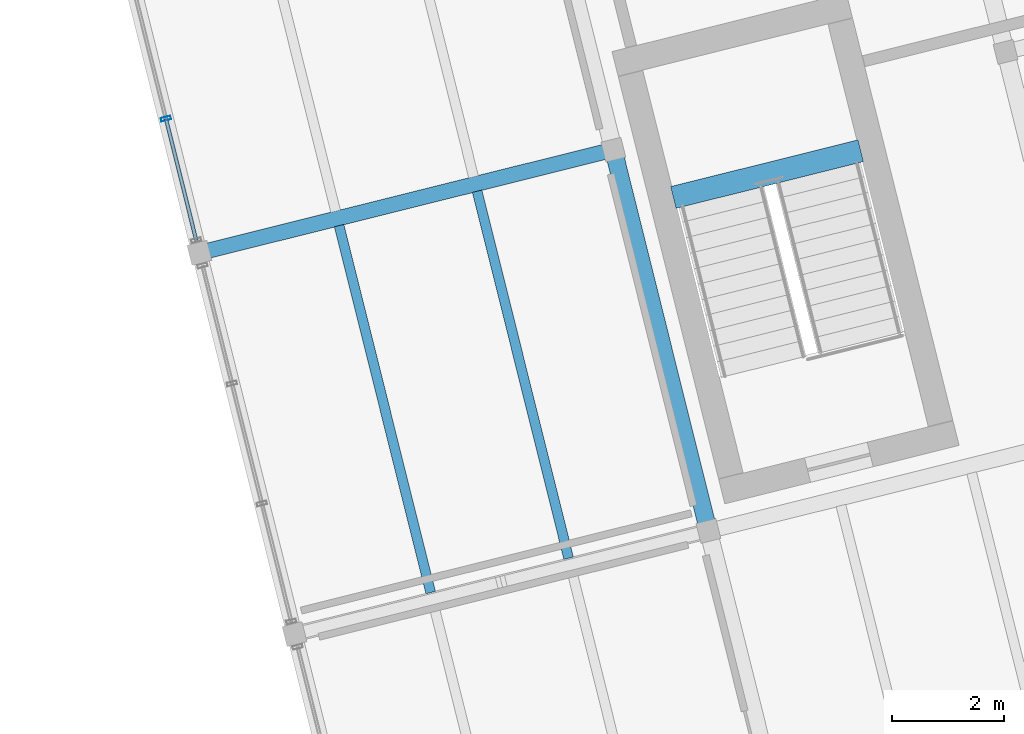
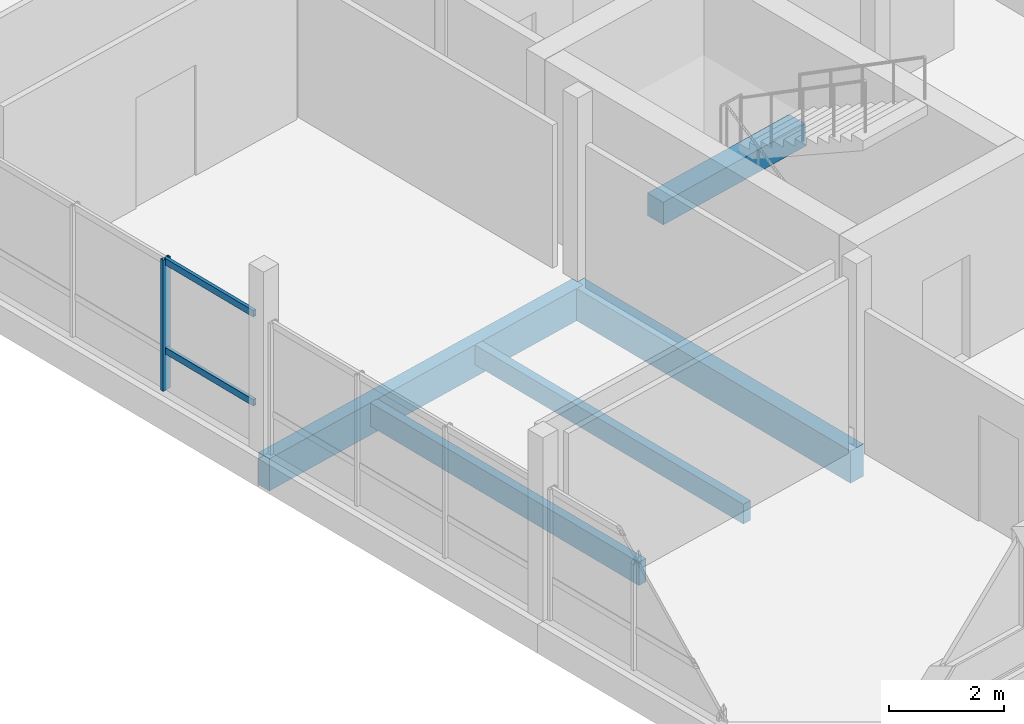
# One storey, part 3 of 28: 5 beams, 3 members, 1 element without a shape of its own.
"""IFC4 building model written with IfcOpenShell, lengths in metres."""

from ifc_helpers import new_model, si_unit, direction, frame, origin, origin_2d, place, context, subcontext, project, spatial, rectangle, hollow_rectangle, extrude, material, layer, layer_set, material_profile, profile_set, type_object, element, aggregate, save


model = new_model("IFC4")

# Units and contexts
model_context = context("Model", 3, precision=1e-05, world=origin(), true_north=direction((0.0, 1.0)))
body_context = subcontext(model_context, "Body", "Model", "MODEL_VIEW")
ifc_project = project(units=[si_unit("LENGTHUNIT", "METRE"), si_unit("AREAUNIT", "SQUARE_METRE"), si_unit("VOLUMEUNIT", "CUBIC_METRE"), si_unit("PLANEANGLEUNIT", "RADIAN"), si_unit("MASSUNIT", "GRAM", prefix="KILO")], contexts=[model_context])

# Site, building, storey
site_placement = place(None, origin())
site = spatial("IfcSite", under=ifc_project, at=site_placement, CompositionType="ELEMENT")
building_placement = place(site_placement, origin())
building = spatial("IfcBuilding", under=site, at=building_placement, Name="Meriwether Solvik Hall", CompositionType="ELEMENT")
storey_placement = place(building_placement, frame((0.0, 0.0, 37.800048828125)))
storey = spatial("IfcBuildingStorey", under=building, at=storey_placement, Name="L09", CompositionType="ELEMENT", Elevation=37.800048828125)

# Beams
ifc_material_1 = material(Name="Glulam Douglas-Fir 24F-V8 GL28h", Category="wood")
ifc_material_profile_1 = material_profile(ifc_material_1, rectangle(XDim=0.27294921875, YDim=0.68505859375, at=origin_2d()), Name="GLB-273X685")
ifc_profile_set_1 = profile_set([ifc_material_profile_1], Name="Glulam Douglas-Fir 24F-V8 GL28h")
beam_type_1 = type_object("IfcBeamType", Name="BM-GL-273X685", PredefinedType="BEAM", material=ifc_profile_set_1)
beam_1_placement = place(storey_placement, frame((65.261474609375, 54.590087890625, -0.5224609375), z_axis=(0.970295366785, 0.241923337436, 0.0), x_axis=(-0.241923337436, 0.970295366785, 0.0)))
element("IfcBeam", 1, at=beam_1_placement, inside=storey, type_object=beam_type_1, Name="Tower Girder TC:T1-T2 (L09)", PredefinedType="BEAM", context=body_context, shape_type="SweptSolid", body=[
    extrude(rectangle(XDim=0.27294921875, YDim=0.68505859375, at=origin_2d()), origin(), (0.0, 0.0, 1.0), 7.60009765625),
])
ifc_material_2 = material(Name="Glulam Douglas-Fir 24F-V8 GL28h", Category="wood")
ifc_material_profile_2 = material_profile(ifc_material_2, rectangle(XDim=0.31494140625, YDim=0.68505859375, at=origin_2d()), Name="GLB-315X685")
ifc_profile_set_2 = profile_set([ifc_material_profile_2], Name="Glulam Douglas-Fir 24F-V8 GL28h")
beam_type_2 = type_object("IfcBeamType", Name="BM-GL-315X685", PredefinedType="BEAM", material=ifc_profile_set_2)
beam_2_placement = place(storey_placement, frame((74.3291015625, 49.63671875, -0.5224609375), z_axis=(-0.241911879182, 0.970298223594, 0.0), x_axis=(-0.970298223594, -0.241911879182, 0.0)))
element("IfcBeam", 2, at=beam_2_placement, inside=storey, type_object=beam_type_2, Name="Tower Girder T2:TB-TC (L09)", PredefinedType="BEAM", context=body_context, shape_type="SweptSolid", body=[
    extrude(rectangle(XDim=0.31494140625, YDim=0.68505859375, at=origin_2d()), origin(), (0.0, 0.0, 1.0), 7.0),
])
ifc_material_3 = material(Name="Concrete C40/50", Category="concrete")
ifc_material_profile_3 = material_profile(ifc_material_3, rectangle(XDim=0.39990234375, YDim=0.47998046875, at=origin_2d()), Name="RCB-400X480")
ifc_profile_set_3 = profile_set([ifc_material_profile_3], Name="Concrete C40/50")
beam_type_3 = type_object("IfcBeamType", Name="BM-LND-RC-400X480", PredefinedType="BEAM", material=ifc_profile_set_3)
beam_3_placement = place(storey_placement, frame((73.70361328125, 55.57666015625, 1.510009765625), z_axis=(0.970288447449, 0.24195108751, 0.0), x_axis=(-0.24195108751, 0.970288447449, 0.0)))
element("IfcBeam", 3, at=beam_3_placement, inside=storey, type_object=beam_type_3, Name="Stair ST-01 Half-Landing Header Beam (L09)", PredefinedType="BEAM", context=body_context, shape_type="SweptSolid", body=[
    extrude(rectangle(XDim=0.39990234375, YDim=0.47998046875, at=origin_2d()), origin(), (0.0, 0.0, 1.0), 3.43994140625),
])

# Curtain wall, members
ifc_material_4 = material(Name="Thermally Broken Anodised Aluminium 6063-T6 and Low-E Glass", Category="aluminium")
ifc_layer = layer(ifc_material_4, 0.179931640625)
ifc_layer_set = layer_set([ifc_layer], Name="Thermally Broken Anodised Aluminium 6063-T6 and Low-E Glass")
curtain_wall_type = type_object("IfcCurtainWallType", Name="CW-UNIT-B", PredefinedType="USERDEFINED", material=ifc_layer_set)
curtain_wall_placement = place(storey_placement, origin())
curtain_wall = element("IfcCurtainWall", 4, at=curtain_wall_placement, inside=storey, type_object=curtain_wall_type, Name="Curtain Wall E7_B2 (L09)", ObjectType="UNITISED CURTAIN WALL", PredefinedType="USERDEFINED")
ifc_material_5 = material(Name="Anodised Aluminium 6063-T6", Category="aluminium")
ifc_material_profile_4 = material_profile(ifc_material_5, hollow_rectangle(XDim=0.06494140625, YDim=0.179931640625, WallThickness=0.00439453125, at=origin_2d()), Name="CWM-65X180")
ifc_profile_set_4 = profile_set([ifc_material_profile_4], Name="Anodised Aluminium 6063-T6")
member_type_1 = type_object("IfcMemberType", Name="CW-MUL-65X180", PredefinedType="MULLION", material=ifc_profile_set_4)
member_1_placement = place(storey_placement, frame((64.665283203125, 56.981689453125, 0.0), z_axis=(0.0, 0.0, 1.0), x_axis=(-0.241921897937, 0.970295725693, 0.0)))
member_1 = element("IfcMember", 5, at=member_1_placement, type_object=member_type_1, Name="Curtain Wall Mullion 2", PredefinedType="MULLION", context=body_context, shape_type="SweptSolid", body=[
    extrude(hollow_rectangle(XDim=0.06494140625, YDim=0.179931640625, WallThickness=0.00439453125, at=origin_2d()), origin(), (0.0, 0.0, 1.0), 2.7900390625),
])
ifc_material_6 = material(Name="Anodised Aluminium 6063-T6", Category="aluminium")
ifc_material_profile_5 = material_profile(ifc_material_6, hollow_rectangle(XDim=0.06494140625, YDim=0.139892578125, WallThickness=0.00439453125, at=origin_2d()), Name="CWT-65X140")
ifc_profile_set_5 = profile_set([ifc_material_profile_5], Name="Anodised Aluminium 6063-T6")
member_type_2 = type_object("IfcMemberType", Name="CW-TRN-65X140", PredefinedType="USERDEFINED", material=ifc_profile_set_5)
member_2_placement = place(storey_placement, frame((65.205322265625, 54.815673828125, 0.8369140625), z_axis=(-0.241917978668, 0.970296702868, 0.0), x_axis=(-0.970296702868, -0.241917978668, 0.0)))
member_2 = element("IfcMember", 6, at=member_2_placement, type_object=member_type_2, Name="Curtain Wall Transom 1-sill", ObjectType="TRANSOM", PredefinedType="USERDEFINED", context=body_context, shape_type="SweptSolid", body=[
    extrude(hollow_rectangle(XDim=0.06494140625, YDim=0.139892578125, WallThickness=0.00439453125, at=origin_2d()), origin(), (0.0, 0.0, 1.0), 2.232421875),
])
member_3_placement = place(storey_placement, frame((65.205322265625, 54.815673828125, 2.72998046875), z_axis=(-0.241917978668, 0.970296702868, 0.0), x_axis=(-0.970296702868, -0.241917978668, 0.0)))
member_3 = element("IfcMember", 7, at=member_3_placement, type_object=member_type_2, Name="Curtain Wall Transom 1-head", ObjectType="TRANSOM", PredefinedType="USERDEFINED", context=body_context, shape_type="SweptSolid", body=[
    extrude(hollow_rectangle(XDim=0.06494140625, YDim=0.139892578125, WallThickness=0.00439453125, at=origin_2d()), origin(), (0.0, 0.0, 1.0), 2.232421875),
])
aggregate(curtain_wall, [member_1, member_2, member_3])

# Beams
ifc_material_7 = material(Name="Glulam Douglas-Fir 24F-V8 GL28h", Category="wood")
ifc_material_profile_6 = material_profile(ifc_material_7, rectangle(XDim=0.175048828125, YDim=0.419921875, at=origin_2d()), Name="GLJ-175X420")
ifc_profile_set_6 = profile_set([ifc_material_profile_6], Name="Glulam Douglas-Fir 24F-V8 GL28h")
beam_type_4 = type_object("IfcBeamType", Name="JST-GL-175X420", PredefinedType="JOIST", material=ifc_profile_set_6)
beam_4_placement = place(storey_placement, frame((71.83935546875, 49.1513671875, -0.39013671875), z_axis=(-0.241930176813, 0.9702936615, 0.0), x_axis=(-0.9702936615, -0.241930176813, 0.0)))
element("IfcBeam", 8, at=beam_4_placement, inside=storey, type_object=beam_type_4, Name="Glulam Floor Joist T1/TB-J2 (L09)", PredefinedType="JOIST", context=body_context, shape_type="SweptSolid", body=[
    extrude(rectangle(XDim=0.175048828125, YDim=0.419921875, at=origin_2d()), origin(), (0.0, 0.0, 1.0), 6.737060546875),
])
ifc_material_8 = material(Name="Glulam Douglas-Fir 24F-V8 GL28h", Category="wood")
ifc_material_profile_7 = material_profile(ifc_material_8, rectangle(XDim=0.175048828125, YDim=0.4951171875, at=origin_2d()), Name="GLJ-175X495")
ifc_profile_set_7 = profile_set([ifc_material_profile_7], Name="Glulam Douglas-Fir 24F-V8 GL28h")
beam_type_5 = type_object("IfcBeamType", Name="JST-GL-175X495", PredefinedType="JOIST", material=ifc_profile_set_7)
beam_5_placement = place(storey_placement, frame((69.381103515625, 48.53857421875, -0.427490234375), z_axis=(-0.241930176813, 0.9702936615, 0.0), x_axis=(-0.9702936615, -0.241930176813, 0.0)))
element("IfcBeam", 9, at=beam_5_placement, inside=storey, type_object=beam_type_5, Name="Glulam Floor Joist T1/TB-J1 (L09)", PredefinedType="JOIST", context=body_context, shape_type="SweptSolid", body=[
    extrude(rectangle(XDim=0.175048828125, YDim=0.4951171875, at=origin_2d()), origin(), (0.0, 0.0, 1.0), 6.737060546875),
])

save(model, "model.ifc")
